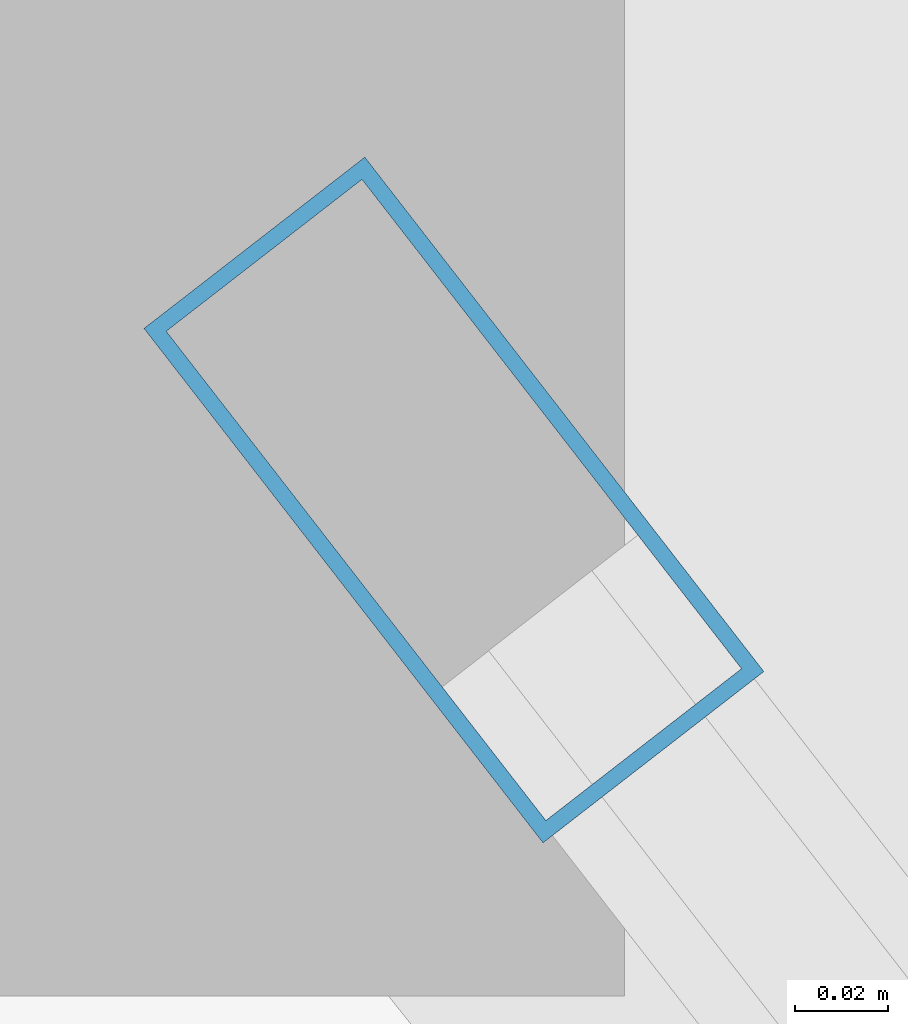
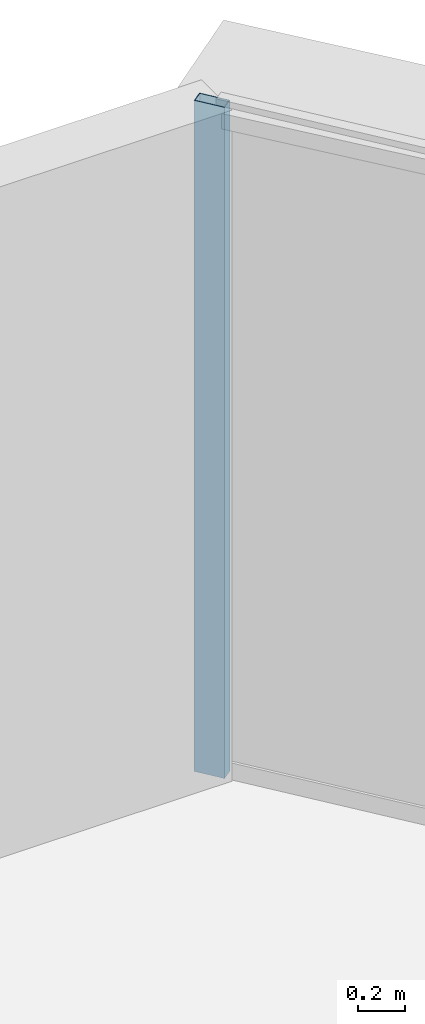
# One storey, part 26 of 34: 1 member, 1 element without a shape of its own.
"""IFC4 building model written with IfcOpenShell, lengths in metres."""

from ifc_helpers import new_model, si_unit, direction, frame, origin, origin_2d, place, context, subcontext, project, spatial, hollow_rectangle, extrude, source, transform, mapped, material, layer, layer_set, material_profile, profile_set, type_object, element, aggregate, save


model = new_model("IFC4")

# Units and contexts
model_context = context("Model", 3, precision=1e-05, world=origin(), true_north=direction((0.0, 1.0)))
body_context = subcontext(model_context, "Body", "Model", "MODEL_VIEW")
ifc_project = project(units=[si_unit("LENGTHUNIT", "METRE"), si_unit("AREAUNIT", "SQUARE_METRE"), si_unit("VOLUMEUNIT", "CUBIC_METRE"), si_unit("PLANEANGLEUNIT", "RADIAN"), si_unit("MASSUNIT", "GRAM", prefix="KILO"), si_unit("THERMODYNAMICTEMPERATUREUNIT", "KELVIN"), si_unit("POWERUNIT", "WATT")], contexts=[model_context])

# Site, building, storey
site_placement = place(None, origin())
site = spatial("IfcSite", under=ifc_project, at=site_placement, CompositionType="ELEMENT")
building_placement = place(site_placement, origin())
building = spatial("IfcBuilding", under=site, at=building_placement, Name="Yunzhuo Pagoda Commons", CompositionType="ELEMENT")
storey_placement = place(building_placement, frame((0.0, 0.0, 333.010009765625)))
storey = spatial("IfcBuildingStorey", under=building, at=storey_placement, Name="L83", CompositionType="ELEMENT", Elevation=333.010009765625)

# Curtain wall, member
ifc_material = material(Name="Anodized aluminium 6063-T6", Category="aluminium")
ifc_layer = layer(ifc_material, 0.139892578125)
ifc_layer_set = layer_set([ifc_layer], Name="Anodized aluminium 6063-T6")
curtain_wall_type = type_object("IfcCurtainWallType", Name="CW-HI High-Zone Ribbon Curtain Wall", PredefinedType="NOTDEFINED", material=ifc_layer_set)
curtain_wall_placement = place(storey_placement, origin())
curtain_wall = element("IfcCurtainWall", 1, at=curtain_wall_placement, inside=storey, type_object=curtain_wall_type, Name="L83 curtain wall CW-L83-F2B5", PredefinedType="NOTDEFINED")
ifc_material_profile = material_profile(ifc_material, hollow_rectangle(XDim=0.06005859375, YDim=0.139892578125, WallThickness=0.00341796875, at=origin_2d()), Name="Anodized aluminium 6063-T6")
ifc_profile_set = profile_set([ifc_material_profile], Name="Anodized aluminium 6063-T6")
member_type = type_object("IfcMemberType", Name="CW-HI-M Mullion RHS 140x60x3.5", PredefinedType="MULLION", material=ifc_profile_set)
shared_shape = source(origin(), body_context, "Body", "SweptSolid", [
    extrude(hollow_rectangle(XDim=0.06005859375, YDim=0.139892578125, WallThickness=0.00341796875, at=origin_2d()), origin(), (0.0, 0.0, 1.0), 3.489990234375),
])
member_placement = place(storey_placement, frame((51.206787109375, 72.759765625, 0.0), z_axis=(0.0, 0.0, 1.0), x_axis=(-0.790146906982, -0.612917502921, 0.0)))
member = element("IfcMember", 2, at=member_placement, type_object=member_type, Name="CW mullion 2", PredefinedType="MULLION", context=body_context, shape_type="MappedRepresentation", body=[
    mapped(shared_shape, transform((0.0, 0.0, 0.0), scale=1.0)),
])
aggregate(curtain_wall, [member])

save(model, "model.ifc")
